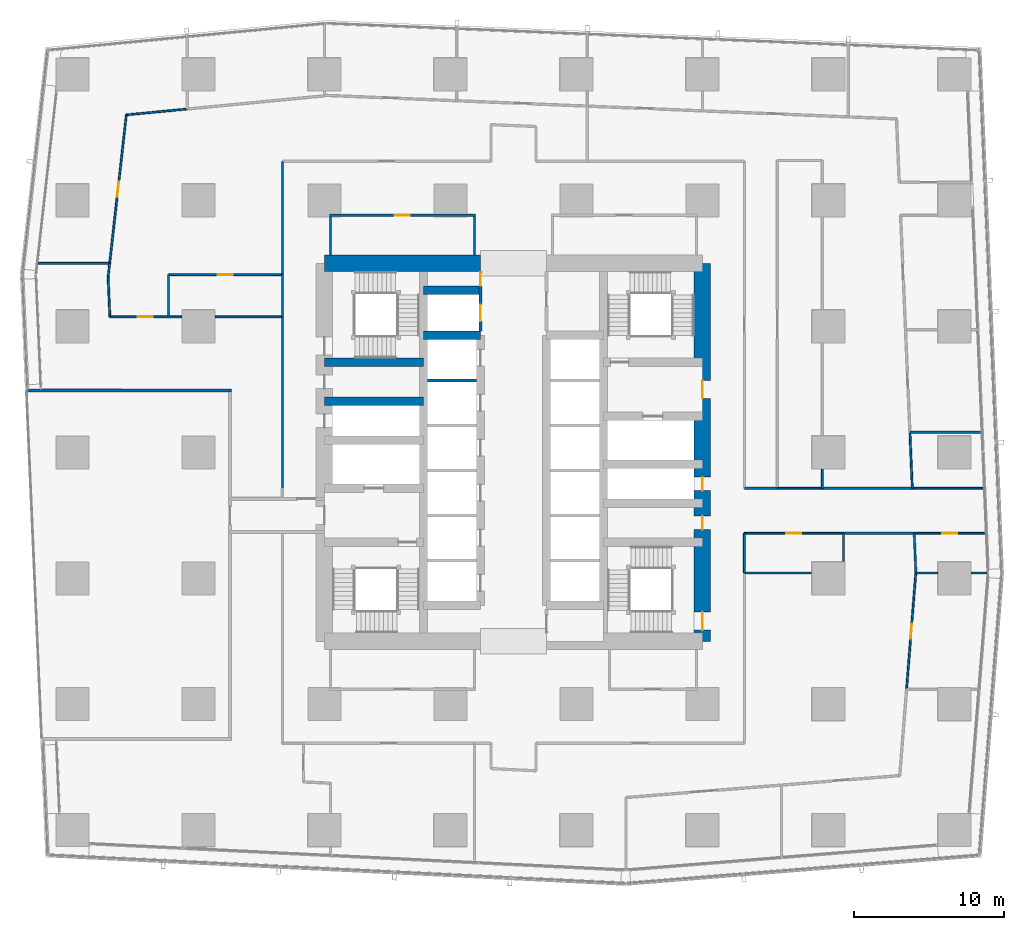
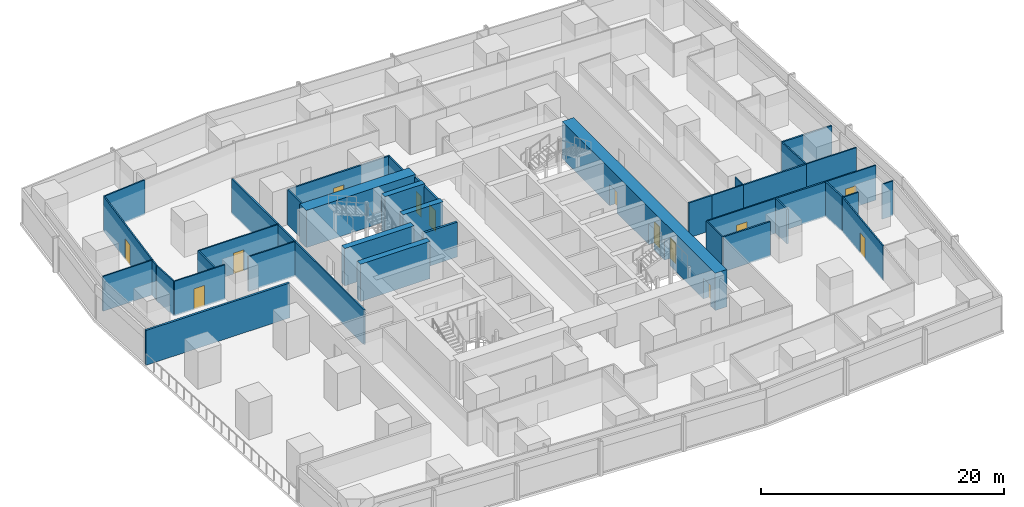
# One storey, part 31 of 42: 41 walls, 13 doors, 13 openings.
"""IFC4 building model written with IfcOpenShell, lengths in metres."""

from ifc_helpers import new_model, si_unit, direction, frame, frame_2d, origin, place, context, subcontext, project, spatial, rectangle, extrude, material, layer, layer_set, type_object, element, fill, save


model = new_model("IFC4")

# Units and contexts
model_context = context("Model", 3, precision=1e-05, world=origin(), true_north=direction((0.0, 1.0)))
body_context = subcontext(model_context, "Body", "Model", "MODEL_VIEW")
ifc_project = project(units=[si_unit("LENGTHUNIT", "METRE"), si_unit("AREAUNIT", "SQUARE_METRE"), si_unit("VOLUMEUNIT", "CUBIC_METRE"), si_unit("PLANEANGLEUNIT", "RADIAN"), si_unit("MASSUNIT", "GRAM", prefix="KILO")], contexts=[model_context])

# Site, building, storey
site_placement = place(None, origin())
site = spatial("IfcSite", under=ifc_project, at=site_placement, CompositionType="ELEMENT")
building_placement = place(site_placement, origin())
building = spatial("IfcBuilding", under=site, at=building_placement, Name="Rekha Terrace Tower", CompositionType="ELEMENT")
storey_placement = place(building_placement, frame((0.0, 0.0, 55.39990234375)))
storey = spatial("IfcBuildingStorey", under=building, at=storey_placement, Name="L13", CompositionType="ELEMENT", Elevation=55.39990234375)

# Walls
ifc_material_1 = material(Name="Concrete M70", Category="concrete")
ifc_layer_1 = layer(ifc_material_1, 0.550048828125)
ifc_layer_set_1 = layer_set([ifc_layer_1], Name="Concrete M70")
wall_type_1 = type_object("IfcWallType", Name="CI1 550 core internal shear wall", PredefinedType="SHEAR", material=ifc_layer_set_1)
for number, where, z_axis, x_axis, name in (
    (1, (31.800048828125, 41.39990234375, 0.0), (0.0, 0.0, 1.0), (1.0, 0.0, 0.0), "Core wall Y414W L13"),
    (2, (31.800048828125, 44.39990234375, 0.0), (0.0, 0.0, 1.0), (1.0, 0.0, 0.0), "Core wall Y444W L13"),
):
    element("IfcWall", number, at=place(storey_placement, frame(where, z_axis=z_axis, x_axis=x_axis)), inside=storey, type_object=wall_type_1, Name=name, PredefinedType="SHEAR", context=body_context, shape_type="SweptSolid", body=[
        extrude(rectangle(XDim=3.800048828125, YDim=0.550048828125, at=frame_2d((1.89990234375, 0.0))), origin(), (0.0, 0.0, 1.0), 3.75),
    ])
for number, where, z_axis, x_axis, name in (
    (3, (25.199951171875, 37.0, 0.0), (0.0, 0.0, 1.0), (1.0, 0.0, 0.0), "Core wall Y370W L13"),
    (4, (25.199951171875, 39.60009765625, 0.0), (0.0, 0.0, 1.0), (1.0, 0.0, 0.0), "Core wall Y396W L13"),
):
    element("IfcWall", number, at=place(storey_placement, frame(where, z_axis=z_axis, x_axis=x_axis)), inside=storey, type_object=wall_type_1, Name=name, PredefinedType="SHEAR", context=body_context, shape_type="SweptSolid", body=[
        extrude(rectangle(XDim=6.60009765625, YDim=0.550048828125, at=frame_2d((3.300048828125, 0.0))), origin(), (0.0, 0.0, 1.0), 3.75),
    ])
ifc_layer_2 = layer(ifc_material_1, 1.10009765625)
ifc_layer_set_2 = layer_set([ifc_layer_2], Name="Concrete M70")
wall_type_2 = type_object("IfcWallType", Name="SW1 1100 core outer shear wall", PredefinedType="SHEAR", material=ifc_layer_set_2)
wall_1_placement = place(storey_placement, frame((25.199951171875, 46.199951171875, 0.0), z_axis=(0.0, 0.0, 1.0), x_axis=(1.0, 0.0, 0.0)))
element("IfcWall", 5, at=wall_1_placement, inside=storey, type_object=wall_type_2, Name="Core wall N1 L13", PredefinedType="SHEAR", context=body_context, shape_type="SweptSolid", body=[
    extrude(rectangle(XDim=10.400146484375, YDim=1.10009765625, at=frame_2d((5.2001953125, 0.0))), origin(), (0.0, 0.0, 1.0), 3.75),
])

# Wall, openings, doors
wall_2_placement = place(storey_placement, frame((50.39990234375, 21.0, 0.0), z_axis=(0.0, 0.0, 1.0), x_axis=(0.0, 1.0, 0.0)))
wall_2 = element("IfcWall", 6, at=wall_2_placement, inside=storey, type_object=wall_type_2, Name="Core wall E L13", PredefinedType="SHEAR", context=body_context, shape_type="SweptSolid", body=[
    extrude(rectangle(XDim=25.199951171875, YDim=1.10009765625, at=frame_2d((12.60009765625, 0.0))), origin(), (0.0, 0.0, 1.0), 3.75),
])
opening_1_placement = place(wall_2_placement, frame((16.199951171875, 0.0, 0.0)))
opening_1 = element("IfcOpeningElement", 7, at=opening_1_placement, cuts=wall_2, Name="Opening D2", PredefinedType="OPENING", context=body_context, shape_type="SweptSolid", body=[
    extrude(rectangle(XDim=1.199951171875, YDim=2.10009765625, at=frame_2d((0.60009765625, 1.050048828125))), frame((0.0, 0.56005859375, 0.0), z_axis=(0.0, -1.0, 0.0), x_axis=(1.0, 0.0, 0.0)), (0.0, 0.0, 1.0), 1.1201171875),
])
opening_2_placement = place(wall_2_placement, frame((10.050048828125, 0.0, 0.0)))
opening_2 = element("IfcOpeningElement", 8, at=opening_2_placement, cuts=wall_2, Name="Opening D5", PredefinedType="OPENING", context=body_context, shape_type="SweptSolid", body=[
    extrude(rectangle(XDim=0.89990234375, YDim=2.10009765625, at=frame_2d((0.449951171875, 1.050048828125))), frame((0.0, 0.56005859375, 0.0), z_axis=(0.0, -1.0, 0.0), x_axis=(1.0, 0.0, 0.0)), (0.0, 0.0, 1.0), 1.1201171875),
])
opening_3_placement = place(wall_2_placement, frame((7.449951171875, 0.0, 0.0)))
opening_3 = element("IfcOpeningElement", 9, at=opening_3_placement, cuts=wall_2, Name="Opening D5", PredefinedType="OPENING", context=body_context, shape_type="SweptSolid", body=[
    extrude(rectangle(XDim=0.89990234375, YDim=2.10009765625, at=frame_2d((0.449951171875, 1.050048828125))), frame((0.0, 0.56005859375, 0.0), z_axis=(0.0, -1.0, 0.0), x_axis=(1.0, 0.0, 0.0)), (0.0, 0.0, 1.0), 1.1201171875),
])
opening_4_placement = place(wall_2_placement, frame((0.75, 0.0, 0.0)))
opening_4 = element("IfcOpeningElement", 10, at=opening_4_placement, cuts=wall_2, Name="Opening D1", PredefinedType="OPENING", context=body_context, shape_type="SweptSolid", body=[
    extrude(rectangle(XDim=1.199951171875, YDim=2.10009765625, at=frame_2d((0.60009765625, 1.050048828125))), frame((0.0, 0.56005859375, 0.0), z_axis=(0.0, -1.0, 0.0), x_axis=(1.0, 0.0, 0.0)), (0.0, 0.0, 1.0), 1.1201171875),
])
ifc_material_2 = material(Name="Steel fire door", Category="steel")
door_type_1 = type_object("IfcDoorType", Name="D1 1200x2100 stair fire door", OperationType="SINGLE_SWING_RIGHT", PredefinedType="DOOR", material=ifc_material_2)
door_1_placement = place(opening_4_placement, origin())
door_1 = element("IfcDoor", 11, at=door_1_placement, inside=storey, type_object=door_type_1, Name="Stair ST3 door L13", OperationType="SINGLE_SWING_RIGHT", OverallHeight=2.10009765625, OverallWidth=1.199951171875, PredefinedType="DOOR", context=body_context, shape_type="SweptSolid", body=[
    extrude(rectangle(XDim=1.199951171875, YDim=2.10009765625, at=frame_2d((0.60009765625, 1.050048828125))), frame((0.0, 0.02490234375, 0.0), z_axis=(0.0, -1.0, 0.0), x_axis=(1.0, 0.0, 0.0)), (0.0, 0.0, 1.0), 0.050048828125),
])
fill(opening_4, door_1)
door_type_2 = type_object("IfcDoorType", Name="D2 1200x2100 firefighting lobby door", OperationType="SINGLE_SWING_LEFT", PredefinedType="DOOR", material=ifc_material_2)
door_2_placement = place(opening_1_placement, origin())
door_2 = element("IfcDoor", 12, at=door_2_placement, inside=storey, type_object=door_type_2, Name="Door flb2 L13", OperationType="SINGLE_SWING_LEFT", OverallHeight=2.10009765625, OverallWidth=1.199951171875, PredefinedType="DOOR", context=body_context, shape_type="SweptSolid", body=[
    extrude(rectangle(XDim=1.199951171875, YDim=2.10009765625, at=frame_2d((0.60009765625, 1.050048828125))), frame((0.0, 0.02490234375, 0.0), z_axis=(0.0, -1.0, 0.0), x_axis=(1.0, 0.0, 0.0)), (0.0, 0.0, 1.0), 0.050048828125),
])
fill(opening_1, door_2)
door_type_3 = type_object("IfcDoorType", Name="D5 900x2100 riser access door", OperationType="SINGLE_SWING_LEFT", PredefinedType="DOOR", material=ifc_material_2)
door_3_placement = place(opening_2_placement, origin())
door_3 = element("IfcDoor", 13, at=door_3_placement, inside=storey, type_object=door_type_3, Name="Door rs2 L13", OperationType="SINGLE_SWING_LEFT", OverallHeight=2.10009765625, OverallWidth=0.89990234375, PredefinedType="DOOR", context=body_context, shape_type="SweptSolid", body=[
    extrude(rectangle(XDim=0.89990234375, YDim=2.10009765625, at=frame_2d((0.449951171875, 1.050048828125))), frame((0.0, 0.02490234375, 0.0), z_axis=(0.0, -1.0, 0.0), x_axis=(1.0, 0.0, 0.0)), (0.0, 0.0, 1.0), 0.050048828125),
])
fill(opening_2, door_3)
door_4_placement = place(opening_3_placement, origin())
door_4 = element("IfcDoor", 14, at=door_4_placement, inside=storey, type_object=door_type_3, Name="Door ele L13", OperationType="SINGLE_SWING_LEFT", OverallHeight=2.10009765625, OverallWidth=0.89990234375, PredefinedType="DOOR", context=body_context, shape_type="SweptSolid", body=[
    extrude(rectangle(XDim=0.89990234375, YDim=2.10009765625, at=frame_2d((0.449951171875, 1.050048828125))), frame((0.0, 0.02490234375, 0.0), z_axis=(0.0, -1.0, 0.0), x_axis=(1.0, 0.0, 0.0)), (0.0, 0.0, 1.0), 0.050048828125),
])
fill(opening_3, door_4)

# Wall, opening, door
ifc_material_3 = material(Name="Concrete block masonry, 1 hour", Category="masonry")
ifc_layer_3 = layer(ifc_material_3, 0.14990234375)
ifc_layer_set_3 = layer_set([ifc_layer_3], Name="Concrete block masonry, 1 hour")
wall_type_3 = type_object("IfcWallType", Name="WP2 150 tenancy partition", PredefinedType="PARTITIONING", material=ifc_layer_set_3)
wall_3_placement = place(storey_placement, frame((25.52490234375, 49.39990234375, 0.0), z_axis=(0.0, 0.0, 1.0), x_axis=(1.0, 0.0, 0.0)))
wall_3 = element("IfcWall", 15, at=wall_3_placement, inside=storey, type_object=wall_type_3, Name="Women's WC wall L13", PredefinedType="PARTITIONING", context=body_context, shape_type="SweptSolid", body=[
    extrude(rectangle(XDim=9.75, YDim=0.14990234375, at=frame_2d((4.875, 0.0))), origin(), (0.0, 0.0, 1.0), 3.5),
])
opening_5_placement = place(wall_3_placement, frame((4.375, 0.0, 0.0)))
opening_5 = element("IfcOpeningElement", 16, at=opening_5_placement, cuts=wall_3, Name="Opening D3", PredefinedType="OPENING", context=body_context, shape_type="SweptSolid", body=[
    extrude(rectangle(XDim=1.0, YDim=2.10009765625, at=frame_2d((0.5, 1.050048828125))), frame((0.0, 0.0849609375, 0.0), z_axis=(0.0, -1.0, 0.0), x_axis=(1.0, 0.0, 0.0)), (0.0, 0.0, 1.0), 0.169921875),
])
ifc_material_4 = material(Name="Laminated timber fire door", Category="wood")
door_type_4 = type_object("IfcDoorType", Name="D3 1000x2100 WC door", OperationType="SINGLE_SWING_LEFT", PredefinedType="DOOR", material=ifc_material_4)
door_5_placement = place(opening_5_placement, origin())
door_5 = element("IfcDoor", 17, at=door_5_placement, inside=storey, type_object=door_type_4, Name="Door women's wc L13", OperationType="SINGLE_SWING_LEFT", OverallHeight=2.10009765625, OverallWidth=1.0, PredefinedType="DOOR", context=body_context, shape_type="SweptSolid", body=[
    extrude(rectangle(XDim=1.0, YDim=2.10009765625, at=frame_2d((0.5, 1.050048828125))), frame((0.0, 0.02490234375, 0.0), z_axis=(0.0, -1.0, 0.0), x_axis=(1.0, 0.0, 0.0)), (0.0, 0.0, 1.0), 0.050048828125),
])
fill(opening_5, door_5)

# Walls
for number, where, z_axis, x_axis, name in (
    (18, (25.60009765625, 46.75, 0.0), (0.0, 0.0, 1.0), (0.0, 1.0, 0.0), "Women's WC wall L13"),
    (19, (35.199951171875, 46.75, 0.0), (0.0, 0.0, 1.0), (0.0, 1.0, 0.0), "Women's WC wall L13"),
):
    element("IfcWall", number, at=place(storey_placement, frame(where, z_axis=z_axis, x_axis=x_axis)), inside=storey, type_object=wall_type_3, Name=name, PredefinedType="PARTITIONING", context=body_context, shape_type="SweptSolid", body=[
        extrude(rectangle(XDim=2.574951171875, YDim=0.14990234375, at=frame_2d((1.28759765625, 0.0))), origin(), (0.0, 0.0, 1.0), 3.5),
    ])
wall_4_placement = place(storey_placement, frame((53.199951171875, 25.552001953125, 0.0), z_axis=(0.0, 0.0, 1.0), x_axis=(1.0, 0.0, 0.0)))
element("IfcWall", 20, at=wall_4_placement, inside=storey, type_object=wall_type_3, Name="Partition L13-O1", PredefinedType="PARTITIONING", context=body_context, shape_type="SweptSolid", body=[
    extrude(rectangle(XDim=4.47998046875, YDim=0.14990234375, at=frame_2d((2.239990234375, 0.0))), origin(), (0.0, 0.0, 1.0), 3.5),
])
wall_5_placement = place(storey_placement, frame((59.800048828125, 26.320068359375, 0.0), z_axis=(0.0, 0.0, 1.0), x_axis=(0.0, 1.0, 0.0)))
element("IfcWall", 21, at=wall_5_placement, inside=storey, type_object=wall_type_3, Name="Partition L13-O1", PredefinedType="PARTITIONING", context=body_context, shape_type="SweptSolid", body=[
    extrude(rectangle(XDim=1.8798828125, YDim=0.14990234375, at=frame_2d((0.93994140625, 0.0))), origin(), (0.0, 0.0, 1.0), 3.5),
])
wall_6_placement = place(storey_placement, frame((59.800048828125, 28.199951171875, 0.0), z_axis=(0.0, 0.0, 1.0), x_axis=(1.0, 0.0, 0.0)))
element("IfcWall", 22, at=wall_6_placement, inside=storey, type_object=wall_type_3, Name="Partition L13-O1", PredefinedType="PARTITIONING", context=body_context, shape_type="SweptSolid", body=[
    extrude(rectangle(XDim=4.718994140625, YDim=0.14990234375, at=frame_2d((2.359375, 0.0))), origin(), (0.0, 0.0, 1.0), 3.5),
])
wall_7_placement = place(storey_placement, frame((64.51904296875, 28.199951171875, 0.0), z_axis=(0.0, 0.0, 1.0), x_axis=(0.042430609407, -0.999099416167, 0.0)))
element("IfcWall", 23, at=wall_7_placement, inside=storey, type_object=wall_type_3, Name="Partition L13-O1", PredefinedType="PARTITIONING", context=body_context, shape_type="SweptSolid", body=[
    extrude(rectangle(XDim=2.58935546875, YDim=0.14990234375, at=frame_2d((1.294677734375, 0.0))), origin(), (0.0, 0.0, 1.0), 3.5),
])
wall_8_placement = place(storey_placement, frame((64.23095703125, 34.931884765625, 0.0), z_axis=(0.0, 0.0, 1.0), x_axis=(1.0, 0.0, 0.0)))
element("IfcWall", 24, at=wall_8_placement, inside=storey, type_object=wall_type_3, Name="Partition L13-O3", PredefinedType="PARTITIONING", context=body_context, shape_type="SweptSolid", body=[
    extrude(rectangle(XDim=4.72509765625, YDim=0.14990234375, at=frame_2d((2.362548828125, 0.0))), origin(), (0.0, 0.0, 1.0), 3.5),
])
wall_9_placement = place(storey_placement, frame((64.39111328125, 31.199951171875, 0.0), z_axis=(0.0, 0.0, 1.0), x_axis=(-1.0, 0.0, 0.0)))
element("IfcWall", 25, at=wall_9_placement, inside=storey, type_object=wall_type_3, Name="Partition L13-O3", PredefinedType="PARTITIONING", context=body_context, shape_type="SweptSolid", body=[
    extrude(rectangle(XDim=5.9912109375, YDim=0.14990234375, at=frame_2d((2.99560546875, 0.0))), origin(), (0.0, 0.0, 1.0), 3.5),
])
wall_10_placement = place(storey_placement, frame((55.39990234375, 31.199951171875, 0.0), z_axis=(0.0, 0.0, 1.0), x_axis=(-1.0, 0.0, 0.0)))
element("IfcWall", 26, at=wall_10_placement, inside=storey, type_object=wall_type_3, Name="Partition L13-O3", PredefinedType="PARTITIONING", context=body_context, shape_type="SweptSolid", body=[
    extrude(rectangle(XDim=2.199951171875, YDim=0.14990234375, at=frame_2d((1.10009765625, 0.0))), origin(), (0.0, 0.0, 1.0), 3.5),
])
wall_11_placement = place(storey_placement, frame((22.39990234375, 53.0, 0.0), z_axis=(0.0, 0.0, 1.0), x_axis=(0.0, -1.0, 0.0)))
element("IfcWall", 27, at=wall_11_placement, inside=storey, type_object=wall_type_3, Name="Partition L13-O4", PredefinedType="PARTITIONING", context=body_context, shape_type="SweptSolid", body=[
    extrude(rectangle(XDim=7.555908203125, YDim=0.14990234375, at=frame_2d((3.77783203125, 0.0))), origin(), (0.0, 0.0, 1.0), 3.5),
])

# Wall, opening, door
ifc_material_5 = material(Name="Two layers of fire-rated gypsum board each side on steel studs, acoustic quilt, 1 hour", Category="steel")
ifc_layer_4 = layer(ifc_material_5, 0.125)
ifc_layer_set_4 = layer_set([ifc_layer_4], Name="Two layers of fire-rated gypsum board each side on steel studs, acoustic quilt, 1 hour")
wall_type_4 = type_object("IfcWallType", Name="WP3 125 office partition", PredefinedType="PARTITIONING", material=ifc_layer_set_4)
wall_12_placement = place(storey_placement, frame((64.010009765625, 17.799072265625, 0.0), z_axis=(0.0, 0.0, 1.0), x_axis=(0.07908510204, 0.996867868193, 0.0)))
wall_12 = element("IfcWall", 28, at=wall_12_placement, inside=storey, type_object=wall_type_4, Name="Partition L13-04", PredefinedType="PARTITIONING", context=body_context, shape_type="SweptSolid", body=[
    extrude(rectangle(XDim=7.7763671875, YDim=0.125, at=frame_2d((3.88818359375, 0.0))), origin(), (0.0, 0.0, 1.0), 3.5),
])
opening_6_placement = place(wall_12_placement, frame((3.387939453125, 0.0, 0.0)))
opening_6 = element("IfcOpeningElement", 29, at=opening_6_placement, cuts=wall_12, Name="Opening D9", PredefinedType="OPENING", context=body_context, shape_type="SweptSolid", body=[
    extrude(rectangle(XDim=1.0, YDim=2.10009765625, at=frame_2d((0.5, 1.050048828125))), frame((0.0, 0.072509765625, 0.0), z_axis=(0.0, -1.0, 0.0), x_axis=(1.0, 0.0, 0.0)), (0.0, 0.0, 1.0), 0.14501953125),
])
ifc_material_6 = material(Name="Timber fire door", Category="wood")
door_type_5 = type_object("IfcDoorType", Name="D9 1000x2100 office door", OperationType="SINGLE_SWING_LEFT", PredefinedType="DOOR", material=ifc_material_6)
door_6_placement = place(opening_6_placement, origin())
door_6 = element("IfcDoor", 30, at=door_6_placement, inside=storey, type_object=door_type_5, Name="Door office L13", OperationType="SINGLE_SWING_LEFT", OverallHeight=2.10009765625, OverallWidth=1.0, PredefinedType="DOOR", context=body_context, shape_type="SweptSolid", body=[
    extrude(rectangle(XDim=1.0, YDim=2.10009765625, at=frame_2d((0.5, 1.050048828125))), frame((0.0, 0.02490234375, 0.0), z_axis=(0.0, -1.0, 0.0), x_axis=(1.0, 0.0, 0.0)), (0.0, 0.0, 1.0), 0.050048828125),
])
fill(opening_6, door_6)

# Walls
wall_13_placement = place(storey_placement, frame((64.625, 25.551025390625, 0.0), z_axis=(0.0, 0.0, 1.0), x_axis=(1.0, 0.0, 0.0)))
element("IfcWall", 31, at=wall_13_placement, inside=storey, type_object=wall_type_4, Name="Partition L13-04", PredefinedType="PARTITIONING", context=body_context, shape_type="SweptSolid", body=[
    extrude(rectangle(XDim=1.455078125, YDim=0.125, at=frame_2d((0.7275390625, 0.0))), origin(), (0.0, 0.0, 1.0), 3.5),
])
wall_14_placement = place(storey_placement, frame((68.320068359375, 25.551025390625, 0.0), z_axis=(0.0, 0.0, 1.0), x_axis=(1.0, 0.0, 0.0)))
element("IfcWall", 32, at=wall_14_placement, inside=storey, type_object=wall_type_4, Name="Partition L13-04", PredefinedType="PARTITIONING", context=body_context, shape_type="SweptSolid", body=[
    extrude(rectangle(XDim=1.036865234375, YDim=0.125, at=frame_2d((0.5185546875, 0.0))), origin(), (0.0, 0.0, 1.0), 3.5),
])

# Wall, opening, door
wall_15_placement = place(storey_placement, frame((64.51904296875, 28.199951171875, 0.0), z_axis=(0.0, 0.0, 1.0), x_axis=(1.0, 0.0, 0.0)))
wall_15 = element("IfcWall", 33, at=wall_15_placement, inside=storey, type_object=wall_type_4, Name="Partition L13-05", PredefinedType="PARTITIONING", context=body_context, shape_type="SweptSolid", body=[
    extrude(rectangle(XDim=4.7548828125, YDim=0.125, at=frame_2d((2.37744140625, 0.0))), origin(), (0.0, 0.0, 1.0), 3.5),
])
opening_7_placement = place(wall_15_placement, frame((1.862060546875, 0.0, 0.0)))
opening_7 = element("IfcOpeningElement", 34, at=opening_7_placement, cuts=wall_15, Name="Opening D9", PredefinedType="OPENING", context=body_context, shape_type="SweptSolid", body=[
    extrude(rectangle(XDim=1.0, YDim=2.10009765625, at=frame_2d((0.5, 1.050048828125))), frame((0.0, 0.072509765625, 0.0), z_axis=(0.0, -1.0, 0.0), x_axis=(1.0, 0.0, 0.0)), (0.0, 0.0, 1.0), 0.14501953125),
])
door_7_placement = place(opening_7_placement, origin())
door_7 = element("IfcDoor", 35, at=door_7_placement, inside=storey, type_object=door_type_5, Name="Door office L13", OperationType="SINGLE_SWING_LEFT", OverallHeight=2.10009765625, OverallWidth=1.0, PredefinedType="DOOR", context=body_context, shape_type="SweptSolid", body=[
    extrude(rectangle(XDim=1.0, YDim=2.10009765625, at=frame_2d((0.5, 1.050048828125))), frame((0.0, 0.02490234375, 0.0), z_axis=(0.0, -1.0, 0.0), x_axis=(1.0, 0.0, 0.0)), (0.0, 0.0, 1.0), 0.050048828125),
])
fill(opening_7, door_7)

wall_16_placement = place(storey_placement, frame((53.199951171875, 28.199951171875, 0.0), z_axis=(0.0, 0.0, 1.0), x_axis=(1.0, 0.0, 0.0)))
wall_16 = element("IfcWall", 36, at=wall_16_placement, inside=storey, type_object=wall_type_4, Name="Partition L13-06", PredefinedType="PARTITIONING", context=body_context, shape_type="SweptSolid", body=[
    extrude(rectangle(XDim=6.60009765625, YDim=0.125, at=frame_2d((3.300048828125, 0.0))), origin(), (0.0, 0.0, 1.0), 3.5),
])
opening_8_placement = place(wall_16_placement, frame((2.800048828125, 0.0, 0.0)))
opening_8 = element("IfcOpeningElement", 37, at=opening_8_placement, cuts=wall_16, Name="Opening D9", PredefinedType="OPENING", context=body_context, shape_type="SweptSolid", body=[
    extrude(rectangle(XDim=1.0, YDim=2.10009765625, at=frame_2d((0.5, 1.050048828125))), frame((0.0, 0.072509765625, 0.0), z_axis=(0.0, -1.0, 0.0), x_axis=(1.0, 0.0, 0.0)), (0.0, 0.0, 1.0), 0.14501953125),
])
door_8_placement = place(opening_8_placement, origin())
door_8 = element("IfcDoor", 38, at=door_8_placement, inside=storey, type_object=door_type_5, Name="Door reception L13", OperationType="SINGLE_SWING_LEFT", OverallHeight=2.10009765625, OverallWidth=1.0, PredefinedType="DOOR", context=body_context, shape_type="SweptSolid", body=[
    extrude(rectangle(XDim=1.0, YDim=2.10009765625, at=frame_2d((0.5, 1.050048828125))), frame((0.0, 0.02490234375, 0.0), z_axis=(0.0, -1.0, 0.0), x_axis=(1.0, 0.0, 0.0)), (0.0, 0.0, 1.0), 0.050048828125),
])
fill(opening_8, door_8)

# Walls
wall_17_placement = place(storey_placement, frame((53.199951171875, 25.552001953125, 0.0), z_axis=(0.0, 0.0, 1.0), x_axis=(0.0, 1.0, 0.0)))
element("IfcWall", 39, at=wall_17_placement, inside=storey, type_object=wall_type_4, Name="Partition L13-06", PredefinedType="PARTITIONING", context=body_context, shape_type="SweptSolid", body=[
    extrude(rectangle(XDim=2.64794921875, YDim=0.125, at=frame_2d((1.323974609375, 0.0))), origin(), (0.0, 0.0, 1.0), 3.5),
])
wall_18_placement = place(storey_placement, frame((69.14501953125, 31.199951171875, 0.0), z_axis=(0.0, 0.0, 1.0), x_axis=(-1.0, 0.0, 0.0)))
element("IfcWall", 40, at=wall_18_placement, inside=storey, type_object=wall_type_4, Name="Partition L13-07", PredefinedType="PARTITIONING", context=body_context, shape_type="SweptSolid", body=[
    extrude(rectangle(XDim=4.75390625, YDim=0.125, at=frame_2d((2.376953125, 0.0))), origin(), (0.0, 0.0, 1.0), 3.5),
])
wall_19_placement = place(storey_placement, frame((64.39111328125, 31.199951171875, 0.0), z_axis=(0.0, 0.0, 1.0), x_axis=(-0.042620959322, 0.999091314058, 0.0)))
element("IfcWall", 41, at=wall_19_placement, inside=storey, type_object=wall_type_4, Name="Partition L13-07", PredefinedType="PARTITIONING", context=body_context, shape_type="SweptSolid", body=[
    extrude(rectangle(XDim=3.660400390625, YDim=0.125, at=frame_2d((1.830078125, 0.0))), origin(), (0.0, 0.0, 1.0), 3.5),
])
wall_20_placement = place(storey_placement, frame((58.39990234375, 32.47998046875, 0.0), z_axis=(0.0, 0.0, 1.0), x_axis=(0.0, -1.0, 0.0)))
element("IfcWall", 42, at=wall_20_placement, inside=storey, type_object=wall_type_4, Name="Partition L13-12", PredefinedType="PARTITIONING", context=body_context, shape_type="SweptSolid", body=[
    extrude(rectangle(XDim=1.280029296875, YDim=0.125, at=frame_2d((0.64013671875, 0.0))), origin(), (0.0, 0.0, 1.0), 3.5),
])
wall_21_placement = place(storey_placement, frame((58.39990234375, 31.199951171875, 0.0), z_axis=(0.0, 0.0, 1.0), x_axis=(-1.0, 0.0, 0.0)))
element("IfcWall", 43, at=wall_21_placement, inside=storey, type_object=wall_type_4, Name="Partition L13-12", PredefinedType="PARTITIONING", context=body_context, shape_type="SweptSolid", body=[
    extrude(rectangle(XDim=3.0, YDim=0.125, at=frame_2d((1.5, 0.0))), origin(), (0.0, 0.0, 1.0), 3.5),
])
wall_22_placement = place(storey_placement, frame((16.053955078125, 56.486083984375, 0.0), z_axis=(0.0, 0.0, 1.0), x_axis=(-0.995423698853, -0.095559718297, 0.0)))
element("IfcWall", 44, at=wall_22_placement, inside=storey, type_object=wall_type_4, Name="Partition L13-15", PredefinedType="PARTITIONING", context=body_context, shape_type="SweptSolid", body=[
    extrude(rectangle(XDim=4.082763671875, YDim=0.125, at=frame_2d((2.04150390625, 0.0))), origin(), (0.0, 0.0, 1.0), 3.5),
])

# Wall, opening, door
wall_23_placement = place(storey_placement, frame((11.989990234375, 56.095947265625, 0.0), z_axis=(0.0, 0.0, 1.0), x_axis=(-0.111668088244, -0.993745560024, 0.0)))
wall_23 = element("IfcWall", 45, at=wall_23_placement, inside=storey, type_object=wall_type_4, Name="Partition L13-15", PredefinedType="PARTITIONING", context=body_context, shape_type="SweptSolid", body=[
    extrude(rectangle(XDim=9.96728515625, YDim=0.125, at=frame_2d((4.983642578125, 0.0))), origin(), (0.0, 0.0, 1.0), 3.5),
])
opening_9_placement = place(wall_23_placement, frame((4.48388671875, 0.0, 0.0)))
opening_9 = element("IfcOpeningElement", 46, at=opening_9_placement, cuts=wall_23, Name="Opening D9", PredefinedType="OPENING", context=body_context, shape_type="SweptSolid", body=[
    extrude(rectangle(XDim=1.0, YDim=2.10009765625, at=frame_2d((0.5, 1.050048828125))), frame((0.0, 0.072509765625, 0.0), z_axis=(0.0, -1.0, 0.0), x_axis=(1.0, 0.0, 0.0)), (0.0, 0.0, 1.0), 0.14501953125),
])
door_9_placement = place(opening_9_placement, origin())
door_9 = element("IfcDoor", 47, at=door_9_placement, inside=storey, type_object=door_type_5, Name="Door director's office L13", OperationType="SINGLE_SWING_LEFT", OverallHeight=2.10009765625, OverallWidth=1.0, PredefinedType="DOOR", context=body_context, shape_type="SweptSolid", body=[
    extrude(rectangle(XDim=1.0, YDim=2.10009765625, at=frame_2d((0.5, 1.050048828125))), frame((0.0, 0.02490234375, 0.0), z_axis=(0.0, -1.0, 0.0), x_axis=(1.0, 0.0, 0.0)), (0.0, 0.0, 1.0), 0.050048828125),
])
fill(opening_9, door_9)

# Walls
wall_24_placement = place(storey_placement, frame((10.876953125, 46.19091796875, 0.0), z_axis=(0.0, 0.0, 1.0), x_axis=(-1.0, 0.0, 0.0)))
element("IfcWall", 48, at=wall_24_placement, inside=storey, type_object=wall_type_4, Name="Partition L13-15", PredefinedType="PARTITIONING", context=body_context, shape_type="SweptSolid", body=[
    extrude(rectangle(XDim=4.75, YDim=0.125, at=frame_2d((2.375, 0.0))), origin(), (0.0, 0.0, 1.0), 3.5),
])
wall_25_placement = place(storey_placement, frame((10.876953125, 46.18994140625, 0.0), z_axis=(0.0, 0.0, 1.0), x_axis=(-0.111455757416, -0.993769396862, 0.0)))
element("IfcWall", 49, at=wall_25_placement, inside=storey, type_object=wall_type_4, Name="Partition L13-16", PredefinedType="PARTITIONING", context=body_context, shape_type="SweptSolid", body=[
    extrude(rectangle(XDim=0.91552734375, YDim=0.125, at=frame_2d((0.457763671875, 0.0))), origin(), (0.0, 0.0, 1.0), 3.5),
])
wall_26_placement = place(storey_placement, frame((10.77490234375, 45.280029296875, 0.0), z_axis=(0.0, 0.0, 1.0), x_axis=(0.043828810198, -0.999039055992, 0.0)))
element("IfcWall", 50, at=wall_26_placement, inside=storey, type_object=wall_type_4, Name="Partition L13-16", PredefinedType="PARTITIONING", context=body_context, shape_type="SweptSolid", body=[
    extrude(rectangle(XDim=2.6513671875, YDim=0.125, at=frame_2d((1.32568359375, 0.0))), origin(), (0.0, 0.0, 1.0), 3.5),
])

# Wall, opening, door
wall_27_placement = place(storey_placement, frame((10.89111328125, 42.631103515625, 0.0), z_axis=(0.0, 0.0, 1.0), x_axis=(1.0, 0.0, 0.0)))
wall_27 = element("IfcWall", 51, at=wall_27_placement, inside=storey, type_object=wall_type_4, Name="Partition L13-16", PredefinedType="PARTITIONING", context=body_context, shape_type="SweptSolid", body=[
    extrude(rectangle(XDim=4.788818359375, YDim=0.125, at=frame_2d((2.39453125, 0.0))), origin(), (0.0, 0.0, 1.0), 3.5),
])
opening_10_placement = place(wall_27_placement, frame((1.860107421875, 0.0, 0.0)))
opening_10 = element("IfcOpeningElement", 52, at=opening_10_placement, cuts=wall_27, Name="Opening D9", PredefinedType="OPENING", context=body_context, shape_type="SweptSolid", body=[
    extrude(rectangle(XDim=1.0, YDim=2.10009765625, at=frame_2d((0.5, 1.050048828125))), frame((0.0, 0.072509765625, 0.0), z_axis=(0.0, -1.0, 0.0), x_axis=(1.0, 0.0, 0.0)), (0.0, 0.0, 1.0), 0.14501953125),
])
door_10_placement = place(opening_10_placement, origin())
door_10 = element("IfcDoor", 53, at=door_10_placement, inside=storey, type_object=door_type_5, Name="Door director's office L13", OperationType="SINGLE_SWING_LEFT", OverallHeight=2.10009765625, OverallWidth=1.0, PredefinedType="DOOR", context=body_context, shape_type="SweptSolid", body=[
    extrude(rectangle(XDim=1.0, YDim=2.10009765625, at=frame_2d((0.5, 1.050048828125))), frame((0.0, 0.02490234375, 0.0), z_axis=(0.0, -1.0, 0.0), x_axis=(1.0, 0.0, 0.0)), (0.0, 0.0, 1.0), 0.050048828125),
])
fill(opening_10, door_10)

# Walls
wall_28_placement = place(storey_placement, frame((17.919921875, 42.631103515625, 0.0), z_axis=(0.0, 0.0, 1.0), x_axis=(1.0, 0.0, 0.0)))
element("IfcWall", 54, at=wall_28_placement, inside=storey, type_object=wall_type_4, Name="Partition L13-16", PredefinedType="PARTITIONING", context=body_context, shape_type="SweptSolid", body=[
    extrude(rectangle(XDim=4.47998046875, YDim=0.125, at=frame_2d((2.239990234375, 0.0))), origin(), (0.0, 0.0, 1.0), 3.5),
])
wall_29_placement = place(storey_placement, frame((22.39990234375, 42.631103515625, 0.0), z_axis=(0.0, 0.0, 1.0), x_axis=(0.0, -1.0, 0.0)))
element("IfcWall", 55, at=wall_29_placement, inside=storey, type_object=wall_type_4, Name="Partition L13-16", PredefinedType="PARTITIONING", context=body_context, shape_type="SweptSolid", body=[
    extrude(rectangle(XDim=11.43115234375, YDim=0.125, at=frame_2d((5.715576171875, 0.0))), origin(), (0.0, 0.0, 1.0), 3.5),
])
wall_30_placement = place(storey_placement, frame((14.801025390625, 42.694091796875, 0.0), z_axis=(0.0, 0.0, 1.0), x_axis=(0.0, 1.0, 0.0)))
element("IfcWall", 56, at=wall_30_placement, inside=storey, type_object=wall_type_4, Name="Partition L13-17", PredefinedType="PARTITIONING", context=body_context, shape_type="SweptSolid", body=[
    extrude(rectangle(XDim=2.75, YDim=0.125, at=frame_2d((1.375, 0.0))), origin(), (0.0, 0.0, 1.0), 3.5),
])

# Wall, opening, door
wall_31_placement = place(storey_placement, frame((14.801025390625, 45.444091796875, 0.0), z_axis=(0.0, 0.0, 1.0), x_axis=(1.0, 0.0, 0.0)))
wall_31 = element("IfcWall", 57, at=wall_31_placement, inside=storey, type_object=wall_type_4, Name="Partition L13-17", PredefinedType="PARTITIONING", context=body_context, shape_type="SweptSolid", body=[
    extrude(rectangle(XDim=7.598876953125, YDim=0.125, at=frame_2d((3.79931640625, 0.0))), origin(), (0.0, 0.0, 1.0), 3.5),
])
opening_11_placement = place(wall_31_placement, frame((3.300048828125, 0.0, 0.0)))
opening_11 = element("IfcOpeningElement", 58, at=opening_11_placement, cuts=wall_31, Name="Opening D9", PredefinedType="OPENING", context=body_context, shape_type="SweptSolid", body=[
    extrude(rectangle(XDim=1.0, YDim=2.10009765625, at=frame_2d((0.5, 1.050048828125))), frame((0.0, 0.072509765625, 0.0), z_axis=(0.0, -1.0, 0.0), x_axis=(1.0, 0.0, 0.0)), (0.0, 0.0, 1.0), 0.14501953125),
])
door_11_placement = place(opening_11_placement, origin())
door_11 = element("IfcDoor", 59, at=door_11_placement, inside=storey, type_object=door_type_5, Name="Door focus room L13", OperationType="SINGLE_SWING_LEFT", OverallHeight=2.10009765625, OverallWidth=1.0, PredefinedType="DOOR", context=body_context, shape_type="SweptSolid", body=[
    extrude(rectangle(XDim=1.0, YDim=2.10009765625, at=frame_2d((0.5, 1.050048828125))), frame((0.0, 0.02490234375, 0.0), z_axis=(0.0, -1.0, 0.0), x_axis=(1.0, 0.0, 0.0)), (0.0, 0.0, 1.0), 0.050048828125),
])
fill(opening_11, door_11)

# Walls
wall_32_placement = place(storey_placement, frame((22.39990234375, 45.444091796875, 0.0), z_axis=(0.0, 0.0, 1.0), x_axis=(0.0, -1.0, 0.0)))
element("IfcWall", 60, at=wall_32_placement, inside=storey, type_object=wall_type_4, Name="Partition L13-17", PredefinedType="PARTITIONING", context=body_context, shape_type="SweptSolid", body=[
    extrude(rectangle(XDim=2.81298828125, YDim=0.125, at=frame_2d((1.406494140625, 0.0))), origin(), (0.0, 0.0, 1.0), 3.5),
])
ifc_material_7 = material(Name="Solid concrete block masonry, 2 hour", Category="masonry")
ifc_layer_5 = layer(ifc_material_7, 0.199951171875)
ifc_layer_set_5 = layer_set([ifc_layer_5], Name="Solid concrete block masonry, 2 hour")
wall_type_5 = type_object("IfcWallType", Name="WS1 200 stair and shaft enclosure", PredefinedType="PARTITIONING", material=ifc_layer_set_5)
wall_33_placement = place(storey_placement, frame((32.074951171875, 38.39990234375, 0.0), z_axis=(0.0, 0.0, 1.0), x_axis=(1.0, 0.0, 0.0)))
element("IfcWall", 61, at=wall_33_placement, inside=storey, type_object=wall_type_5, Name="Lift shaft divider L13", PredefinedType="PARTITIONING", context=body_context, shape_type="SweptSolid", body=[
    extrude(rectangle(XDim=3.25, YDim=0.199951171875, at=frame_2d((1.625, 0.0))), origin(), (0.0, 0.0, 1.0), 3.5),
])

# Wall, openings, doors
wall_34_placement = place(storey_placement, frame((35.60009765625, 41.675048828125, 0.0), z_axis=(0.0, 0.0, 1.0), x_axis=(0.0, 1.0, 0.0)))
wall_34 = element("IfcWall", 62, at=wall_34_placement, inside=storey, type_object=wall_type_5, Name="Core partition jansv L13", PredefinedType="PARTITIONING", context=body_context, shape_type="SweptSolid", body=[
    extrude(rectangle(XDim=3.974853515625, YDim=0.199951171875, at=frame_2d((1.9873046875, 0.0))), origin(), (0.0, 0.0, 1.0), 3.5),
])
opening_12_placement = place(wall_34_placement, frame((3.02490234375, 0.0, 0.0)))
opening_12 = element("IfcOpeningElement", 63, at=opening_12_placement, cuts=wall_34, Name="Opening D5", PredefinedType="OPENING", context=body_context, shape_type="SweptSolid", body=[
    extrude(rectangle(XDim=0.89990234375, YDim=2.10009765625, at=frame_2d((0.449951171875, 1.050048828125))), frame((0.0, 0.10986328125, 0.0), z_axis=(0.0, -1.0, 0.0), x_axis=(1.0, 0.0, 0.0)), (0.0, 0.0, 1.0), 0.219970703125),
])
opening_13_placement = place(wall_34_placement, frame((0.675048828125, 0.0, 0.0)))
opening_13 = element("IfcOpeningElement", 64, at=opening_13_placement, cuts=wall_34, Name="Opening LD1", PredefinedType="OPENING", context=body_context, shape_type="SweptSolid", body=[
    extrude(rectangle(XDim=1.10009765625, YDim=2.10009765625, at=frame_2d((0.550048828125, 1.050048828125))), frame((0.0, 0.10986328125, 0.0), z_axis=(0.0, -1.0, 0.0), x_axis=(1.0, 0.0, 0.0)), (0.0, 0.0, 1.0), 0.219970703125),
])
door_12_placement = place(opening_12_placement, origin())
door_12 = element("IfcDoor", 65, at=door_12_placement, inside=storey, type_object=door_type_3, Name="Door janitor room L13", OperationType="SINGLE_SWING_LEFT", OverallHeight=2.10009765625, OverallWidth=0.89990234375, PredefinedType="DOOR", context=body_context, shape_type="SweptSolid", body=[
    extrude(rectangle(XDim=0.89990234375, YDim=2.10009765625, at=frame_2d((0.449951171875, 1.050048828125))), frame((0.0, 0.02490234375, 0.0), z_axis=(0.0, -1.0, 0.0), x_axis=(1.0, 0.0, 0.0)), (0.0, 0.0, 1.0), 0.050048828125),
])
fill(opening_12, door_12)
ifc_material_8 = material(Name="Stainless steel sliding landing door", Category="steel")
door_type_6 = type_object("IfcDoorType", Name="LD1 1100x2100 lift landing door", OperationType="SLIDING_TO_LEFT", PredefinedType="USERDEFINED", material=ifc_material_8)
door_13_placement = place(opening_13_placement, origin())
door_13 = element("IfcDoor", 66, at=door_13_placement, inside=storey, type_object=door_type_6, Name="Lift SV1 landing door L13", ObjectType="LIFT LANDING DOOR", OperationType="SLIDING_TO_LEFT", OverallHeight=2.10009765625, OverallWidth=1.10009765625, PredefinedType="USERDEFINED", context=body_context, shape_type="SweptSolid", body=[
    extrude(rectangle(XDim=1.10009765625, YDim=2.10009765625, at=frame_2d((0.550048828125, 1.050048828125))), frame((0.0, 0.02490234375, 0.0), z_axis=(0.0, -1.0, 0.0), x_axis=(1.0, 0.0, 0.0)), (0.0, 0.0, 1.0), 0.050048828125),
])
fill(opening_13, door_13)

# Wall
wall_35_placement = place(storey_placement, frame((5.339111328125, 37.72998046875, 0.0), z_axis=(0.0, 0.0, 1.0), x_axis=(1.0, 0.0, 0.0)))
element("IfcWall", 67, at=wall_35_placement, inside=storey, type_object=wall_type_5, Name="Refuge area north wall L13", PredefinedType="PARTITIONING", context=body_context, shape_type="SweptSolid", body=[
    extrude(rectangle(XDim=13.660888671875, YDim=0.199951171875, at=frame_2d((6.83056640625, 0.0))), origin(), (0.0, 0.0, 1.0), 3.5),
])

save(model, "model.ifc")
